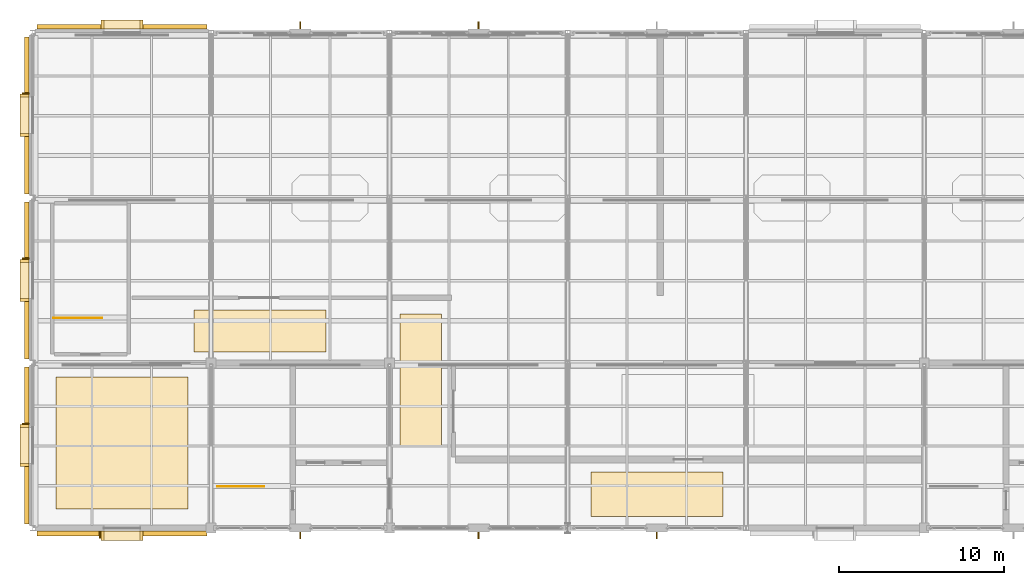
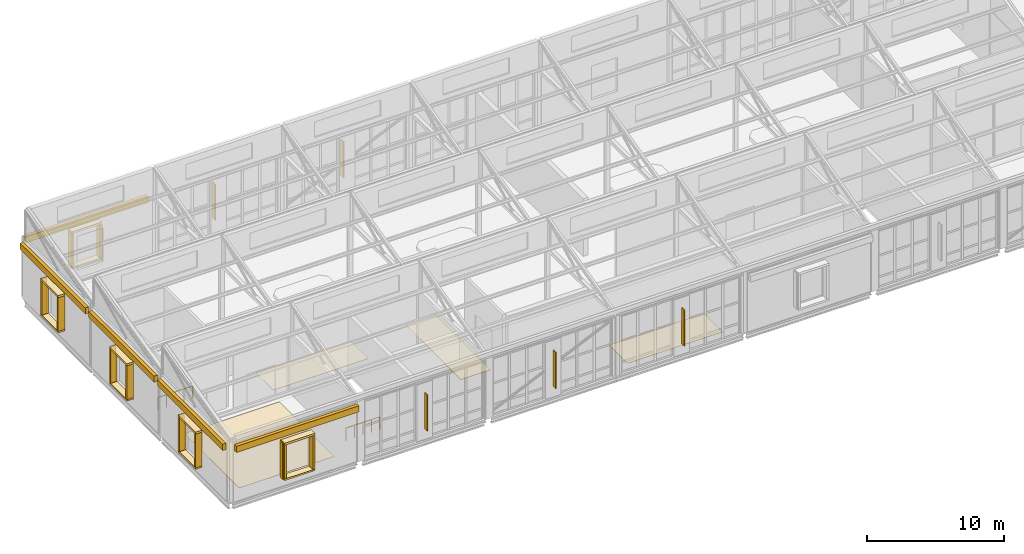
# One storey, part 43 of 49: 29 coverings, 9 shading devices, 2 railings.
"""IFC4 building model written with IfcOpenShell, lengths in metres."""

from ifc_helpers import new_model, si_unit, direction, frame, origin, origin_2d, place, context, subcontext, project, spatial, rectangle, circle, extrude, material, layer, layer_set, type_object, element, save


model = new_model("IFC4")

# Units and contexts
model_context = context("Model", 3, precision=1e-05, world=origin(), true_north=direction((0.0, 1.0)))
body_context = subcontext(model_context, "Body", "Model", "MODEL_VIEW")
ifc_project = project(units=[si_unit("LENGTHUNIT", "METRE"), si_unit("AREAUNIT", "SQUARE_METRE"), si_unit("VOLUMEUNIT", "CUBIC_METRE"), si_unit("PLANEANGLEUNIT", "RADIAN"), si_unit("MASSUNIT", "GRAM", prefix="KILO")], contexts=[model_context])

# Site, building, storey
site_placement = place(None, origin())
site = spatial("IfcSite", under=ifc_project, at=site_placement, CompositionType="ELEMENT")
building_placement = place(site_placement, origin())
building = spatial("IfcBuilding", under=site, at=building_placement, Name="Tasgan Crest Museum", CompositionType="ELEMENT")
storey_placement = place(building_placement, frame((0.0, 0.0, 28.800048828125)))
storey = spatial("IfcBuildingStorey", under=building, at=storey_placement, Name="L05", CompositionType="ELEMENT", Elevation=28.800048828125)

# Coverings
ifc_material_1 = material(Name="Engineered Steppe Oak Parquet")
ifc_layer_1 = layer(ifc_material_1, 0.02490234375, Name="COV-FLOOR-OAK")
ifc_layer_set_1 = layer_set([ifc_layer_1], Name="Engineered Steppe Oak Parquet")
covering_type_1 = type_object("IfcCoveringType", Name="COV-FLOOR-OAK", PredefinedType="FLOORING", material=ifc_layer_set_1)
covering_1_placement = place(storey_placement, frame((5.39990234375, 87.14990234375, 0.0), z_axis=(0.0, 0.0, 1.0), x_axis=(1.0, 0.0, 0.0)))
element("IfcCovering", 1, at=covering_1_placement, inside=storey, type_object=covering_type_1, Name="West Top-Lit Sawtooth Natural Art Gallery floor finish", PredefinedType="FLOORING", context=body_context, shape_type="SweptSolid", body=[
    extrude(rectangle(XDim=8.0, YDim=8.0, at=origin_2d()), origin(), (0.0, 0.0, 1.0), 0.02490234375),
])
covering_2_placement = place(storey_placement, frame((37.800048828125, 84.050048828125, 0.0), z_axis=(0.0, 0.0, 1.0), x_axis=(1.0, 0.0, 0.0)))
element("IfcCovering", 2, at=covering_2_placement, inside=storey, type_object=covering_type_1, Name="Fifth Floor Sawtooth Gallery Promenade floor finish", PredefinedType="FLOORING", context=body_context, shape_type="SweptSolid", body=[
    extrude(rectangle(XDim=8.0, YDim=2.699951171875, at=origin_2d()), origin(), (0.0, 0.0, 1.0), 0.02490234375),
])
ifc_material_2 = material(Name="Polished Granite Terrazzo", Category="masonry")
ifc_layer_2 = layer(ifc_material_2, 0.030029296875, Name="COV-FLOOR-TERRAZZO")
ifc_layer_set_2 = layer_set([ifc_layer_2], Name="Polished Granite Terrazzo")
covering_type_2 = type_object("IfcCoveringType", Name="COV-FLOOR-TERRAZZO", PredefinedType="FLOORING", material=ifc_layer_set_2)
covering_3_placement = place(storey_placement, frame((13.75, 93.925048828125, 0.0), z_axis=(0.0, 0.0, 1.0), x_axis=(1.0, 0.0, 0.0)))
element("IfcCovering", 3, at=covering_3_placement, inside=storey, type_object=covering_type_2, Name="L05 North-West Stair Link Corridor floor finish", PredefinedType="FLOORING", context=body_context, shape_type="SweptSolid", body=[
    extrude(rectangle(XDim=8.0, YDim=2.550048828125, at=origin_2d()), origin(), (0.0, 0.0, 1.0), 0.030029296875),
])
covering_4_placement = place(storey_placement, frame((23.5, 90.97509765625, 0.0), z_axis=(0.0, 0.0, 1.0), x_axis=(1.0, 0.0, 0.0)))
element("IfcCovering", 4, at=covering_4_placement, inside=storey, type_object=covering_type_2, Name="L05 West Core Link Corridor floor finish", PredefinedType="FLOORING", context=body_context, shape_type="SweptSolid", body=[
    extrude(rectangle(XDim=2.5, YDim=8.0, at=origin_2d()), origin(), (0.0, 0.0, 1.0), 0.030029296875),
])
ifc_material_3 = material(Name="Honed Rose-Red Mongolian Granite", Category="masonry")
ifc_layer_3 = layer(ifc_material_3, 0.0400390625, Name="COV-GRANITE-ROSE")
ifc_layer_set_3 = layer_set([ifc_layer_3], Name="Honed Rose-Red Mongolian Granite")
covering_type_3 = type_object("IfcCoveringType", Name="COV-GRANITE-ROSE", PredefinedType="CLADDING", material=ifc_layer_set_3)
for number, where, z_axis, x_axis, name in (
    (5, (6.590087890625, 112.5, 1.0), (0.0, 0.0, 1.0), (-1.0, 0.0, 0.0), "Deep window reveal jamb L05-071"),
    (6, (4.2099609375, 112.5, 1.0), (0.0, 0.0, 1.0), (-1.0, 0.0, 0.0), "Deep window reveal jamb L05-071"),
    (7, (-0.5, 108.18994140625, 1.0), (0.0, 0.0, 1.0), (0.0, -1.0, 0.0), "Deep window reveal jamb L05-072"),
    (8, (-0.5, 105.81005859375, 1.0), (0.0, 0.0, 1.0), (0.0, -1.0, 0.0), "Deep window reveal jamb L05-072"),
    (9, (-0.5, 98.18994140625, 1.0), (0.0, 0.0, 1.0), (0.0, -1.0, 0.0), "Deep window reveal jamb L05-073"),
    (10, (-0.5, 95.81005859375, 1.0), (0.0, 0.0, 1.0), (0.0, -1.0, 0.0), "Deep window reveal jamb L05-073"),
    (11, (-0.5, 88.18994140625, 1.0), (0.0, 0.0, 1.0), (0.0, -1.0, 0.0), "Deep window reveal jamb L05-074"),
    (12, (-0.5, 85.81005859375, 1.0), (0.0, 0.0, 1.0), (0.0, -1.0, 0.0), "Deep window reveal jamb L05-074"),
    (13, (4.2099609375, 81.534912109375, 1.0), (0.0, 0.0, 1.0), (1.0, 0.0, 0.0), "Deep window reveal jamb L05-075"),
    (14, (6.590087890625, 81.534912109375, 1.0), (0.0, 0.0, 1.0), (1.0, 0.0, 0.0), "Deep window reveal jamb L05-075"),
):
    element("IfcCovering", number, at=place(storey_placement, frame(where, z_axis=z_axis, x_axis=x_axis)), inside=storey, type_object=covering_type_3, Name=name, PredefinedType="CLADDING", context=body_context, shape_type="SweptSolid", body=[
        extrude(rectangle(XDim=0.179931640625, YDim=0.550048828125, at=origin_2d()), origin(), (0.0, 0.0, 1.0), 3.0),
    ])
ifc_material_4 = material(Name="Honed Buff Limestone", Category="masonry")
ifc_layer_4 = layer(ifc_material_4, 0.044921875, Name="COV-LIMESTONE-BUFF")
ifc_layer_set_4 = layer_set([ifc_layer_4], Name="Honed Buff Limestone")
covering_type_4 = type_object("IfcCoveringType", Name="COV-LIMESTONE-BUFF", PredefinedType="CLADDING", material=ifc_layer_set_4)
covering_5_placement = place(storey_placement, frame((5.39990234375, 112.364990234375, 4.56005859375), z_axis=(0.0, 0.0, 1.0), x_axis=(-1.0, 0.0, 0.0)))
element("IfcCovering", 15, at=covering_5_placement, inside=storey, type_object=covering_type_4, Name="Stone frieze cladding L05", PredefinedType="CLADDING", context=body_context, shape_type="SweptSolid", body=[
    extrude(rectangle(XDim=10.31005859375, YDim=0.280029296875, at=origin_2d()), origin(), (0.0, 0.0, 1.0), 0.550048828125),
])
covering_6_placement = place(storey_placement, frame((5.39990234375, 112.5, 4.0), z_axis=(0.0, 0.0, 1.0), x_axis=(-1.0, 0.0, 0.0)))
element("IfcCovering", 16, at=covering_6_placement, inside=storey, type_object=covering_type_4, Name="Deep window hood L05-071", PredefinedType="CLADDING", context=body_context, shape_type="SweptSolid", body=[
    extrude(rectangle(XDim=2.56005859375, YDim=0.550048828125, at=origin_2d()), origin(), (0.0, 0.0, 1.0), 0.179931640625),
])
covering_7_placement = place(storey_placement, frame((5.39990234375, 112.5, 0.85986328125), z_axis=(0.0, 0.0, 1.0), x_axis=(-1.0, 0.0, 0.0)))
element("IfcCovering", 17, at=covering_7_placement, inside=storey, type_object=covering_type_4, Name="Deep window sill L05-071", PredefinedType="CLADDING", context=body_context, shape_type="SweptSolid", body=[
    extrude(rectangle(XDim=2.56005859375, YDim=0.550048828125, at=origin_2d()), origin(), (0.0, 0.0, 1.0), 0.139892578125),
])
covering_8_placement = place(storey_placement, frame((-0.364990234375, 107.0, 4.56005859375), z_axis=(0.0, 0.0, 1.0), x_axis=(0.0, -1.0, 0.0)))
element("IfcCovering", 18, at=covering_8_placement, inside=storey, type_object=covering_type_4, Name="Stone frieze cladding L05", PredefinedType="CLADDING", context=body_context, shape_type="SweptSolid", body=[
    extrude(rectangle(XDim=9.510009765625, YDim=0.280029296875, at=origin_2d()), origin(), (0.0, 0.0, 1.0), 0.550048828125),
])
covering_9_placement = place(storey_placement, frame((-0.5, 107.0, 4.0), z_axis=(0.0, 0.0, 1.0), x_axis=(0.0, -1.0, 0.0)))
element("IfcCovering", 19, at=covering_9_placement, inside=storey, type_object=covering_type_4, Name="Deep window hood L05-072", PredefinedType="CLADDING", context=body_context, shape_type="SweptSolid", body=[
    extrude(rectangle(XDim=2.56005859375, YDim=0.550048828125, at=origin_2d()), origin(), (0.0, 0.0, 1.0), 0.179931640625),
])
covering_10_placement = place(storey_placement, frame((-0.5, 107.0, 0.85986328125), z_axis=(0.0, 0.0, 1.0), x_axis=(0.0, -1.0, 0.0)))
element("IfcCovering", 20, at=covering_10_placement, inside=storey, type_object=covering_type_4, Name="Deep window sill L05-072", PredefinedType="CLADDING", context=body_context, shape_type="SweptSolid", body=[
    extrude(rectangle(XDim=2.56005859375, YDim=0.550048828125, at=origin_2d()), origin(), (0.0, 0.0, 1.0), 0.139892578125),
])
covering_11_placement = place(storey_placement, frame((-0.364990234375, 97.0, 4.56005859375), z_axis=(0.0, 0.0, 1.0), x_axis=(0.0, -1.0, 0.0)))
element("IfcCovering", 21, at=covering_11_placement, inside=storey, type_object=covering_type_4, Name="Stone frieze cladding L05", PredefinedType="CLADDING", context=body_context, shape_type="SweptSolid", body=[
    extrude(rectangle(XDim=9.510009765625, YDim=0.280029296875, at=origin_2d()), origin(), (0.0, 0.0, 1.0), 0.550048828125),
])
covering_12_placement = place(storey_placement, frame((-0.5, 97.0, 4.0), z_axis=(0.0, 0.0, 1.0), x_axis=(0.0, -1.0, 0.0)))
element("IfcCovering", 22, at=covering_12_placement, inside=storey, type_object=covering_type_4, Name="Deep window hood L05-073", PredefinedType="CLADDING", context=body_context, shape_type="SweptSolid", body=[
    extrude(rectangle(XDim=2.56005859375, YDim=0.550048828125, at=origin_2d()), origin(), (0.0, 0.0, 1.0), 0.179931640625),
])
covering_13_placement = place(storey_placement, frame((-0.5, 97.0, 0.85986328125), z_axis=(0.0, 0.0, 1.0), x_axis=(0.0, -1.0, 0.0)))
element("IfcCovering", 23, at=covering_13_placement, inside=storey, type_object=covering_type_4, Name="Deep window sill L05-073", PredefinedType="CLADDING", context=body_context, shape_type="SweptSolid", body=[
    extrude(rectangle(XDim=2.56005859375, YDim=0.550048828125, at=origin_2d()), origin(), (0.0, 0.0, 1.0), 0.139892578125),
])
covering_14_placement = place(storey_placement, frame((-0.364990234375, 87.0, 4.56005859375), z_axis=(0.0, 0.0, 1.0), x_axis=(0.0, -1.0, 0.0)))
element("IfcCovering", 24, at=covering_14_placement, inside=storey, type_object=covering_type_4, Name="Stone frieze cladding L05", PredefinedType="CLADDING", context=body_context, shape_type="SweptSolid", body=[
    extrude(rectangle(XDim=9.510009765625, YDim=0.280029296875, at=origin_2d()), origin(), (0.0, 0.0, 1.0), 0.550048828125),
])
covering_15_placement = place(storey_placement, frame((-0.5, 87.0, 4.0), z_axis=(0.0, 0.0, 1.0), x_axis=(0.0, -1.0, 0.0)))
element("IfcCovering", 25, at=covering_15_placement, inside=storey, type_object=covering_type_4, Name="Deep window hood L05-074", PredefinedType="CLADDING", context=body_context, shape_type="SweptSolid", body=[
    extrude(rectangle(XDim=2.56005859375, YDim=0.550048828125, at=origin_2d()), origin(), (0.0, 0.0, 1.0), 0.179931640625),
])
covering_16_placement = place(storey_placement, frame((-0.5, 87.0, 0.85986328125), z_axis=(0.0, 0.0, 1.0), x_axis=(0.0, -1.0, 0.0)))
element("IfcCovering", 26, at=covering_16_placement, inside=storey, type_object=covering_type_4, Name="Deep window sill L05-074", PredefinedType="CLADDING", context=body_context, shape_type="SweptSolid", body=[
    extrude(rectangle(XDim=2.56005859375, YDim=0.550048828125, at=origin_2d()), origin(), (0.0, 0.0, 1.0), 0.139892578125),
])
covering_17_placement = place(storey_placement, frame((5.39990234375, 81.669921875, 4.56005859375), z_axis=(0.0, 0.0, 1.0), x_axis=(1.0, 0.0, 0.0)))
element("IfcCovering", 27, at=covering_17_placement, inside=storey, type_object=covering_type_4, Name="Stone frieze cladding L05", PredefinedType="CLADDING", context=body_context, shape_type="SweptSolid", body=[
    extrude(rectangle(XDim=10.31005859375, YDim=0.280029296875, at=origin_2d()), origin(), (0.0, 0.0, 1.0), 0.550048828125),
])
covering_18_placement = place(storey_placement, frame((5.39990234375, 81.534912109375, 4.0), z_axis=(0.0, 0.0, 1.0), x_axis=(1.0, 0.0, 0.0)))
element("IfcCovering", 28, at=covering_18_placement, inside=storey, type_object=covering_type_4, Name="Deep window hood L05-075", PredefinedType="CLADDING", context=body_context, shape_type="SweptSolid", body=[
    extrude(rectangle(XDim=2.56005859375, YDim=0.550048828125, at=origin_2d()), origin(), (0.0, 0.0, 1.0), 0.179931640625),
])
covering_19_placement = place(storey_placement, frame((5.39990234375, 81.534912109375, 0.85986328125), z_axis=(0.0, 0.0, 1.0), x_axis=(1.0, 0.0, 0.0)))
element("IfcCovering", 29, at=covering_19_placement, inside=storey, type_object=covering_type_4, Name="Deep window sill L05-075", PredefinedType="CLADDING", context=body_context, shape_type="SweptSolid", body=[
    extrude(rectangle(XDim=2.56005859375, YDim=0.550048828125, at=origin_2d()), origin(), (0.0, 0.0, 1.0), 0.139892578125),
])

# Railings
ifc_material_5 = material(Name="Brushed Bronze and Toughened Glass", Category="glass")
railing_type = type_object("IfcRailingType", Name="RL-INT-GUARD-1120", PredefinedType="GUARDRAIL", material=ifc_material_5)
railing_1_placement = place(storey_placement, frame((11.179931640625, 84.52001953125, 0.0)))
element("IfcRailing", 30, at=railing_1_placement, inside=storey, type_object=railing_type, Name="North-West Gallery Core top stairwell guard L05", PredefinedType="GUARDRAIL", context=body_context, shape_type="SweptSolid", body=[
    extrude(circle(Radius=0.02392578125, at=origin_2d()), frame((0.0, 0.0, 1.09619140625), z_axis=(1.0, 0.0, 0.0), x_axis=(0.0, 1.0, 0.0)), (0.0, 0.0, 1.0), 2.830078125),
    extrude(circle(Radius=0.02099609375, at=origin_2d()), origin(), (0.0, 0.0, 1.0), 1.072021484375),
    extrude(circle(Radius=0.02099609375, at=origin_2d()), frame((0.70751953125, 0.0, 0.0)), (0.0, 0.0, 1.0), 1.072021484375),
    extrude(circle(Radius=0.02099609375, at=origin_2d()), frame((1.4150390625, 0.0, 0.0)), (0.0, 0.0, 1.0), 1.072021484375),
    extrude(circle(Radius=0.02099609375, at=origin_2d()), frame((2.12255859375, 0.0, 0.0)), (0.0, 0.0, 1.0), 1.072021484375),
    extrude(circle(Radius=0.02099609375, at=origin_2d()), frame((2.830078125, 0.0, 0.0)), (0.0, 0.0, 1.0), 1.072021484375),
])
railing_2_placement = place(storey_placement, frame((1.260009765625, 94.719970703125, 0.0)))
element("IfcRailing", 31, at=railing_2_placement, inside=storey, type_object=railing_type, Name="GALW top arrival guard L05", PredefinedType="GUARDRAIL", context=body_context, shape_type="SweptSolid", body=[
    extrude(circle(Radius=0.02392578125, at=origin_2d()), frame((0.0, 0.0, 1.09619140625), z_axis=(1.0, 0.0, 0.0), x_axis=(0.0, 1.0, 0.0)), (0.0, 0.0, 1.0), 2.919921875),
    extrude(circle(Radius=0.02099609375, at=origin_2d()), origin(), (0.0, 0.0, 1.0), 1.072021484375),
    extrude(circle(Radius=0.02099609375, at=origin_2d()), frame((0.72998046875, 0.0, 0.0)), (0.0, 0.0, 1.0), 1.072021484375),
    extrude(circle(Radius=0.02099609375, at=origin_2d()), frame((1.4599609375, 0.0, 0.0)), (0.0, 0.0, 1.0), 1.072021484375),
    extrude(circle(Radius=0.02099609375, at=origin_2d()), frame((2.18994140625, 0.0, 0.0)), (0.0, 0.0, 1.0), 1.072021484375),
    extrude(circle(Radius=0.02099609375, at=origin_2d()), frame((2.919921875, 0.0, 0.0)), (0.0, 0.0, 1.0), 1.072021484375),
])

# Shading devices
ifc_material_6 = material(Name="Anodised Bronze Aluminium", Category="aluminium")
shading_device_type = type_object("IfcShadingDeviceType", Name="SH-FIN-V400", PredefinedType="JALOUSIE", material=ifc_material_6)
for number, where, z_axis, x_axis, name in (
    (32, (27.0, 112.449951171875, 0.97998046875), (0.0, 0.0, 1.0), (-1.0, 0.0, 0.0), "Facade pier solar fin L05"),
    (33, (16.199951171875, 112.449951171875, 0.97998046875), (0.0, 0.0, 1.0), (-1.0, 0.0, 0.0), "Facade pier solar fin L05"),
    (34, (-0.43505859375, 108.320068359375, 0.89990234375), (0.0, 0.0, 1.0), (0.0, -1.0, 0.0), "Solar shading fin L05-072"),
    (35, (-0.43505859375, 98.320068359375, 0.89990234375), (0.0, 0.0, 1.0), (0.0, -1.0, 0.0), "Solar shading fin L05-073"),
    (36, (-0.43505859375, 88.320068359375, 0.89990234375), (0.0, 0.0, 1.0), (0.0, -1.0, 0.0), "Solar shading fin L05-074"),
    (37, (4.080078125, 81.60009765625, 0.89990234375), (0.0, 0.0, 1.0), (1.0, 0.0, 0.0), "Solar shading fin L05-075"),
    (38, (16.199951171875, 81.550048828125, 0.97998046875), (0.0, 0.0, 1.0), (1.0, 0.0, 0.0), "Facade pier solar fin L05"),
    (39, (27.0, 81.550048828125, 0.97998046875), (0.0, 0.0, 1.0), (1.0, 0.0, 0.0), "Facade pier solar fin L05"),
    (40, (37.800048828125, 81.550048828125, 0.97998046875), (0.0, 0.0, 1.0), (1.0, 0.0, 0.0), "Facade pier solar fin L05"),
):
    element("IfcShadingDevice", number, at=place(storey_placement, frame(where, z_axis=z_axis, x_axis=x_axis)), inside=storey, type_object=shading_device_type, Name=name, PredefinedType="JALOUSIE", context=body_context, shape_type="SweptSolid", body=[
        extrude(rectangle(XDim=0.080078125, YDim=0.419921875, at=origin_2d()), origin(), (0.0, 0.0, 1.0), 3.199951171875),
    ])

save(model, "model.ifc")
